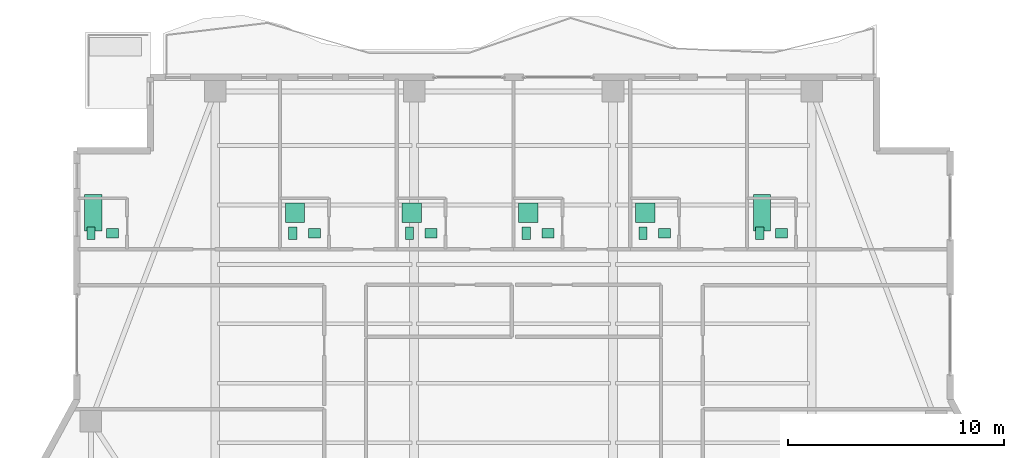
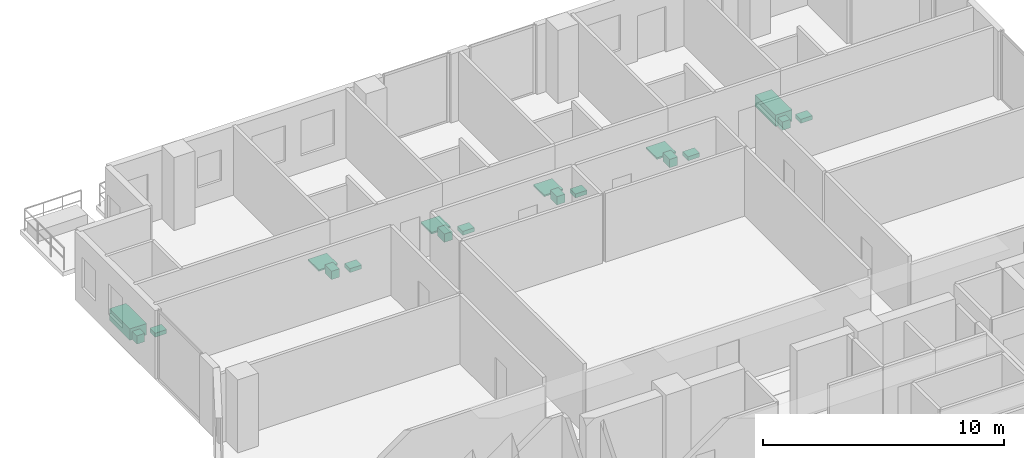
# One storey, part 23 of 23: 18 sanitary terminals.
"""IFC4 building model written with IfcOpenShell, lengths in metres."""

from ifc_helpers import new_model, si_unit, direction, frame, origin, origin_2d, place, context, subcontext, project, spatial, rectangle, extrude, material, type_object, element, save


model = new_model("IFC4")

# Units and contexts
model_context = context("Model", 3, precision=1e-05, world=origin(), true_north=direction((0.0, 1.0)))
body_context = subcontext(model_context, "Body", "Model", "MODEL_VIEW")
ifc_project = project(units=[si_unit("LENGTHUNIT", "METRE"), si_unit("AREAUNIT", "SQUARE_METRE"), si_unit("VOLUMEUNIT", "CUBIC_METRE"), si_unit("PLANEANGLEUNIT", "RADIAN"), si_unit("MASSUNIT", "GRAM", prefix="KILO")], contexts=[model_context])

# Site, building, storey
site_placement = place(None, origin())
site = spatial("IfcSite", under=ifc_project, at=site_placement, CompositionType="ELEMENT")
building_placement = place(site_placement, origin())
building = spatial("IfcBuilding", under=site, at=building_placement, Name="Zuhayl Quay Hotel", CompositionType="ELEMENT")
storey_placement = place(building_placement, frame((0.0, 0.0, 272.949951171875)))
storey = spatial("IfcBuildingStorey", under=building, at=storey_placement, Name="L69", CompositionType="ELEMENT", Elevation=272.949951171875)

# Sanitary terminals
ifc_material = material(Name="Vitreous Porcelain Sanitaryware")
sanitary_terminal_type_1 = type_object("IfcSanitaryTerminalType", Name="SAN_BASIN", PredefinedType="WASHHANDBASIN", material=ifc_material)
for number, where, z_axis, x_axis, name in (
    (1, (-18.550048828125, 31.7900390625, 0.0), (0.0, 0.0, 1.0), (1.0, 0.0, 0.0), "L69 Sanitary Fixture WASHHANDBASIN"),
    (2, (-9.2099609375, 31.7900390625, 0.0), (0.0, 0.0, 1.0), (1.0, 0.0, 0.0), "L69 Sanitary Fixture WASHHANDBASIN"),
    (3, (-3.81005859375, 31.7900390625, 0.0), (0.0, 0.0, 1.0), (1.0, 0.0, 0.0), "L69 Sanitary Fixture WASHHANDBASIN"),
    (4, (1.590087890625, 31.7900390625, 0.0), (0.0, 0.0, 1.0), (1.0, 0.0, 0.0), "L69 Sanitary Fixture WASHHANDBASIN"),
    (5, (6.989990234375, 31.7900390625, 0.0), (0.0, 0.0, 1.0), (1.0, 0.0, 0.0), "L69 Sanitary Fixture WASHHANDBASIN"),
    (6, (12.389892578125, 31.7900390625, 0.0), (0.0, 0.0, 1.0), (1.0, 0.0, 0.0), "L69 Sanitary Fixture WASHHANDBASIN"),
):
    element("IfcSanitaryTerminal", number, at=place(storey_placement, frame(where, z_axis=z_axis, x_axis=x_axis)), inside=storey, type_object=sanitary_terminal_type_1, Name=name, PredefinedType="WASHHANDBASIN", context=body_context, shape_type="SweptSolid", body=[
        extrude(rectangle(XDim=0.550048828125, YDim=0.449951171875, at=origin_2d()), origin(), (0.0, 0.0, 1.0), 0.199951171875),
    ])
sanitary_terminal_type_2 = type_object("IfcSanitaryTerminalType", Name="SAN_BATH", PredefinedType="BATH", material=ifc_material)
for number, where, z_axis, x_axis, name in (
    (7, (-19.449951171875, 32.739990234375, 0.0), (0.0, 0.0, 1.0), (1.0, 0.0, 0.0), "L69 Sanitary Fixture BATH"),
    (8, (11.489990234375, 32.739990234375, 0.0), (0.0, 0.0, 1.0), (1.0, 0.0, 0.0), "L69 Sanitary Fixture BATH"),
):
    element("IfcSanitaryTerminal", number, at=place(storey_placement, frame(where, z_axis=z_axis, x_axis=x_axis)), inside=storey, type_object=sanitary_terminal_type_2, Name=name, PredefinedType="BATH", context=body_context, shape_type="SweptSolid", body=[
        extrude(rectangle(XDim=0.800048828125, YDim=1.699951171875, at=origin_2d()), origin(), (0.0, 0.0, 1.0), 0.580078125),
    ])
sanitary_terminal_type_3 = type_object("IfcSanitaryTerminalType", Name="SAN_SHOWER", PredefinedType="SHOWER", material=ifc_material)
for number, where, z_axis, x_axis, name in (
    (9, (-10.110107421875, 32.739990234375, 0.0), (0.0, 0.0, 1.0), (1.0, 0.0, 0.0), "L69 Sanitary Fixture SHOWER"),
    (10, (-4.7099609375, 32.739990234375, 0.0), (0.0, 0.0, 1.0), (1.0, 0.0, 0.0), "L69 Sanitary Fixture SHOWER"),
    (11, (0.68994140625, 32.739990234375, 0.0), (0.0, 0.0, 1.0), (1.0, 0.0, 0.0), "L69 Sanitary Fixture SHOWER"),
    (12, (6.090087890625, 32.739990234375, 0.0), (0.0, 0.0, 1.0), (1.0, 0.0, 0.0), "L69 Sanitary Fixture SHOWER"),
):
    element("IfcSanitaryTerminal", number, at=place(storey_placement, frame(where, z_axis=z_axis, x_axis=x_axis)), inside=storey, type_object=sanitary_terminal_type_3, Name=name, PredefinedType="SHOWER", context=body_context, shape_type="SweptSolid", body=[
        extrude(rectangle(XDim=0.89990234375, YDim=0.89990234375, at=origin_2d()), origin(), (0.0, 0.0, 1.0), 0.080078125),
    ])
sanitary_terminal_type_4 = type_object("IfcSanitaryTerminalType", Name="SAN_WC", PredefinedType="TOILETPAN", material=ifc_material)
for number, where, z_axis, x_axis, name in (
    (13, (-19.550048828125, 31.7900390625, 0.0), (0.0, 0.0, 1.0), (1.0, 0.0, 0.0), "L69 Sanitary Fixture TOILETPAN"),
    (14, (-10.2099609375, 31.7900390625, 0.0), (0.0, 0.0, 1.0), (1.0, 0.0, 0.0), "L69 Sanitary Fixture TOILETPAN"),
    (15, (-4.81005859375, 31.7900390625, 0.0), (0.0, 0.0, 1.0), (1.0, 0.0, 0.0), "L69 Sanitary Fixture TOILETPAN"),
    (16, (0.590087890625, 31.7900390625, 0.0), (0.0, 0.0, 1.0), (1.0, 0.0, 0.0), "L69 Sanitary Fixture TOILETPAN"),
    (17, (5.989990234375, 31.7900390625, 0.0), (0.0, 0.0, 1.0), (1.0, 0.0, 0.0), "L69 Sanitary Fixture TOILETPAN"),
    (18, (11.389892578125, 31.7900390625, 0.0), (0.0, 0.0, 1.0), (1.0, 0.0, 0.0), "L69 Sanitary Fixture TOILETPAN"),
):
    element("IfcSanitaryTerminal", number, at=place(storey_placement, frame(where, z_axis=z_axis, x_axis=x_axis)), inside=storey, type_object=sanitary_terminal_type_4, Name=name, PredefinedType="TOILETPAN", context=body_context, shape_type="SweptSolid", body=[
        extrude(rectangle(XDim=0.3798828125, YDim=0.56005859375, at=origin_2d()), origin(), (0.0, 0.0, 1.0), 0.419921875),
    ])

save(model, "model.ifc")
